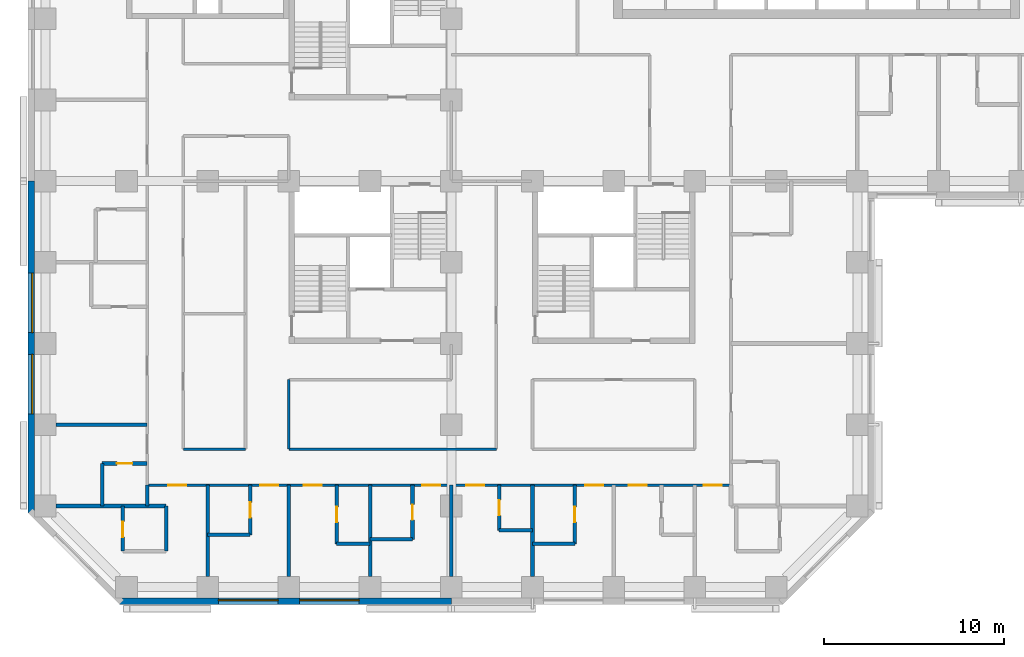
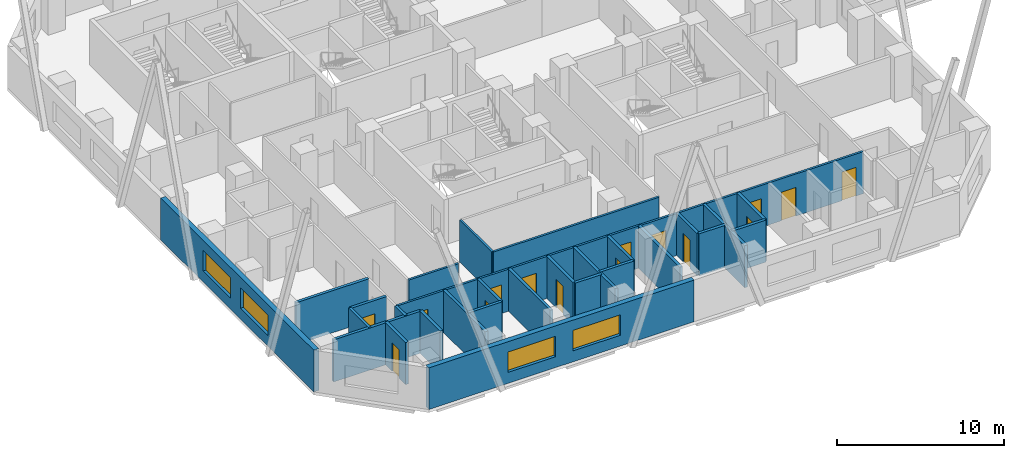
# One storey, part 3 of 13: 28 walls, 15 doors, 4 windows, 19 openings.
"""IFC4 building model written with IfcOpenShell, lengths in metres."""

import ifcopenshell
import ifcopenshell.guid

model = None  # the IFC model being written
_history = None  # IfcOwnerHistory: only IFC2X3 demands one
_inside = {}  # id of a spatial element -> (the spatial element, [elements in it])
_under = {}  # id of a project, library or spatial element -> (it, [spatial elements below it])
_declared = {}  # id of a project -> (the project, [libraries it declares])
_typed = {}  # id of a type object -> (the type object, [elements of that type])
_made_of = {}  # id of a material, layer set ... -> (it, [elements and type objects made of it])


def new_model(schema):
    """Start an empty IFC model of exactly this schema.

    Asked for "IFC4X3", IfcOpenShell would pick the latest addendum, in which some entities
    have other attributes; the version numbers below select the first issue.
    IFC2X3 requires an IfcOwnerHistory on every rooted entity: one is made here for all.
    """
    global model, _history
    if schema == "IFC4X3":
        model = ifcopenshell.file(schema_version=(4, 3, 0, 0))
    else:
        model = ifcopenshell.file(schema=schema)
    _inside.clear()
    _under.clear()
    _declared.clear()
    _typed.clear()
    _made_of.clear()
    _history = None
    if model.schema == "IFC2X3":
        org = make("IfcOrganization", Name="unknown")
        user = make(
            "IfcPersonAndOrganization",
            ThePerson=make("IfcPerson", FamilyName="unknown"),
            TheOrganization=org,
        )
        app = make(
            "IfcApplication",
            ApplicationDeveloper=org,
            Version="unknown",
            ApplicationFullName="unknown",
            ApplicationIdentifier="unknown",
        )
        _history = make(
            "IfcOwnerHistory",
            OwningUser=user,
            OwningApplication=app,
            ChangeAction="ADDED",
            CreationDate=0,
        )
    return model


def make(cls, **values):
    """One entity of the class cls with the attributes given. An attribute that is None is left unset."""
    return model.create_entity(
        cls, **{name: value for name, value in values.items() if value is not None}
    )


def rooted(cls, **values):
    """An entity with a GlobalId (a new one), such as an element, a storey or a relation."""
    return make(cls, GlobalId=ifcopenshell.guid.new(), OwnerHistory=_history, **values)


def si_unit(unit_type, name, prefix=None):
    """IfcSIUnit, for example si_unit("LENGTHUNIT", "METRE", prefix="MILLI")."""
    return make("IfcSIUnit", UnitType=unit_type, Prefix=prefix, Name=name)


def assignment(units):
    """IfcUnitAssignment: the units of a project."""
    return None if units is None else make("IfcUnitAssignment", Units=units)


def point(xyz):
    """IfcCartesianPoint."""
    return None if xyz is None else make("IfcCartesianPoint", Coordinates=xyz)


def direction(xyz):
    """IfcDirection."""
    return None if xyz is None else make("IfcDirection", DirectionRatios=xyz)


def frame(location, z_axis=None, x_axis=None):
    """IfcAxis2Placement3D, a coordinate frame: its origin and axes. An axis left out is left unset."""
    return make(
        "IfcAxis2Placement3D",
        Location=point(location),
        Axis=direction(z_axis),
        RefDirection=direction(x_axis),
    )


def frame_2d(location, x_axis=None):
    """IfcAxis2Placement2D, a coordinate frame in the plane: its origin and x axis."""
    return make(
        "IfcAxis2Placement2D", Location=point(location), RefDirection=direction(x_axis)
    )


def origin():
    """The frame at (0, 0, 0) with its axes left unset."""
    return frame((0.0, 0.0, 0.0))


def place(relative_to, where):
    """IfcLocalPlacement: puts the frame where relative to a parent placement (None: the world)."""
    return make(
        "IfcLocalPlacement", PlacementRelTo=relative_to, RelativePlacement=where
    )


def context(
    kind, dimensions, precision=None, world=None, true_north=None, identifier=None
):
    """IfcGeometricRepresentationContext, for example the 3D "Model" context."""
    return make(
        "IfcGeometricRepresentationContext",
        ContextIdentifier=identifier,
        ContextType=kind,
        CoordinateSpaceDimension=dimensions,
        Precision=precision,
        WorldCoordinateSystem=world,
        TrueNorth=true_north,
    )


def subcontext(parent, identifier, kind, view, scale=None):
    """IfcGeometricRepresentationSubContext, for example "Body" below "Model"."""
    return make(
        "IfcGeometricRepresentationSubContext",
        ContextIdentifier=identifier,
        ContextType=kind,
        ParentContext=parent,
        TargetScale=scale,
        TargetView=view,
    )


def project(units=None, contexts=None):
    """IfcProject with its units and contexts."""
    return rooted(
        "IfcProject",
        Name="project",
        RepresentationContexts=contexts,
        UnitsInContext=assignment(units),
    )


def spatial(cls, under=None, at=None, **own):
    """A site, building, storey or space (cls), placed at a placement, below another one or the project."""
    s = rooted(cls, ObjectPlacement=at, **own)
    if under is not None:
        _under.setdefault(under.id(), (under, []))[1].append(s)
    return s


def profile(cls, at=None, kind="AREA", **sizes):
    """A parametric profile (cls). Its sizes go by their IFC names, for example OverallWidth=200.0."""
    return make(cls, ProfileType=kind, Position=at, **sizes)


def rectangle(**sizes):
    """IfcRectangleProfileDef."""
    return profile("IfcRectangleProfileDef", **sizes)


def extrude(swept, where, along, depth):
    """IfcExtrudedAreaSolid: the profile swept, set in the frame where, extruded along a direction by depth."""
    return make(
        "IfcExtrudedAreaSolid",
        SweptArea=swept,
        Position=where,
        ExtrudedDirection=direction(along),
        Depth=depth,
    )


def shape(context_of_items, identifier, shape_type, items):
    """IfcShapeRepresentation: the items that make up one representation, for example the "Body"."""
    return make(
        "IfcShapeRepresentation",
        ContextOfItems=context_of_items,
        RepresentationIdentifier=identifier,
        RepresentationType=shape_type,
        Items=items,
    )


def material(Name=None, Category=None):
    """IfcMaterial."""
    return make("IfcMaterial", Name=Name, Category=Category)


def layer(
    of_material, thickness, ventilated=None, Name=None, Category=None, Priority=None
):
    """IfcMaterialLayer: one layer of a wall or slab, of a material (None: an air gap)."""
    return make(
        "IfcMaterialLayer",
        Material=of_material,
        LayerThickness=thickness,
        IsVentilated=ventilated,
        Name=Name,
        Category=Category,
        Priority=Priority,
    )


def layer_set(layers, Name=None):
    """IfcMaterialLayerSet."""
    return make("IfcMaterialLayerSet", MaterialLayers=layers, LayerSetName=Name)


def constituent(of_material, Name=None, Category=None, fraction=None):
    """IfcMaterialConstituent: one of the materials an element consists of."""
    return make(
        "IfcMaterialConstituent",
        Name=Name,
        Material=of_material,
        Fraction=fraction,
        Category=Category,
    )


def constituent_set(constituents=None, Name=None):
    """IfcMaterialConstituentSet."""
    return make(
        "IfcMaterialConstituentSet", Name=Name, MaterialConstituents=constituents
    )


def made_of(thing, what):
    """Note that an element or type object is made of a material, layer set ...; save() writes the relation."""
    if what is not None:
        _made_of.setdefault(what.id(), (what, []))[1].append(thing)
    return thing


def type_object(cls, material=None, **own):
    """A type object (cls), such as IfcWallType, which elements share."""
    return made_of(rooted(cls, **own), material)


def element(
    cls,
    number,
    at=None,
    inside=None,
    cuts=None,
    type_object=None,
    material=None,
    context=None,
    identifier="Body",
    shape_type=None,
    held_by="IfcProductDefinitionShape",
    body=None,
    shapes=None,
    **own,
):
    """One element of the class cls, such as IfcWall. Its Tag is "e" and its number.

    at: its placement. inside: the storey or other place that contains it. cuts: it is an
    opening in that element (IfcRelVoidsElement). A single representation is given by context,
    identifier, shape_type and body (its items); several are given by shapes. held_by: the class
    of the entity that holds the representations. save() writes the other relations.
    """
    e = rooted(cls, Tag="e%d" % number, ObjectPlacement=at, **own)
    if body is not None:
        shapes = [shape(context, identifier, shape_type, body)]
    if shapes is not None:
        e.Representation = make(held_by, Representations=shapes)
    if inside is not None:
        _inside.setdefault(inside.id(), (inside, []))[1].append(e)
    if cuts is not None:
        rooted(
            "IfcRelVoidsElement", RelatingBuildingElement=cuts, RelatedOpeningElement=e
        )
    if type_object is not None:
        _typed.setdefault(type_object.id(), (type_object, []))[1].append(e)
    return made_of(e, material)


def fill(opening, filler):
    """IfcRelFillsElement: the door or window that sits in an opening."""
    return rooted(
        "IfcRelFillsElement",
        RelatingOpeningElement=opening,
        RelatedBuildingElement=filler,
    )


def aggregate(whole, parts):
    """IfcRelAggregates: a whole, such as a stair, and the parts it consists of."""
    return rooted("IfcRelAggregates", RelatingObject=whole, RelatedObjects=parts)


def save(model, path):
    """Write the relations noted so far, then the file.

    IfcRelAggregates (storeys below a building ...), IfcRelContainedInSpatialStructure (elements
    in a storey), IfcRelDefinesByType, IfcRelAssociatesMaterial and IfcRelDeclares: one each for
    every whole, place, type object, material and project.
    """
    for whole, parts in _under.values():
        aggregate(whole, parts)
    for where, things in _inside.values():
        rooted(
            "IfcRelContainedInSpatialStructure",
            RelatedElements=things,
            RelatingStructure=where,
        )
    for kind, things in _typed.values():
        rooted("IfcRelDefinesByType", RelatedObjects=things, RelatingType=kind)
    for what, things in _made_of.values():
        rooted("IfcRelAssociatesMaterial", RelatedObjects=things, RelatingMaterial=what)
    for by, libraries in _declared.values():
        rooted("IfcRelDeclares", RelatingContext=by, RelatedDefinitions=libraries)
    model.write(path)


model = new_model("IFC4")

# Units and contexts
model_context = context("Model", 3, precision=1e-05, world=origin(), true_north=direction((0.0, 1.0)))
body_context = subcontext(model_context, "Body", "Model", "MODEL_VIEW")
ifc_project = project(units=[si_unit("LENGTHUNIT", "METRE"), si_unit("AREAUNIT", "SQUARE_METRE"), si_unit("VOLUMEUNIT", "CUBIC_METRE"), si_unit("PLANEANGLEUNIT", "RADIAN"), si_unit("MASSUNIT", "GRAM", prefix="KILO")], contexts=[model_context])

# Site, building, storey
site_placement = place(None, origin())
site = spatial("IfcSite", under=ifc_project, at=site_placement, CompositionType="ELEMENT")
building_placement = place(site_placement, origin())
building = spatial("IfcBuilding", under=site, at=building_placement, Name="Quoin Convention Tower", CompositionType="ELEMENT")
storey_placement = place(building_placement, frame((0.0, 0.0, 26.39990234375)))
storey = spatial("IfcBuildingStorey", under=building, at=storey_placement, Name="L05", CompositionType="ELEMENT", Elevation=26.39990234375)

# Wall, openings, windows
ifc_material_1 = material(Name="Brick masonry", Category="masonry")
ifc_layer_1 = layer(ifc_material_1, 0.35009765625)
ifc_layer_set_1 = layer_set([ifc_layer_1], Name="Brick masonry")
wall_type_1 = type_object("IfcWallType", Name="Brick facade wall", PredefinedType="STANDARD", material=ifc_layer_set_1)
wall_1_placement = place(storey_placement, frame((17.6064453125, 17.22509765625, 0.0), z_axis=(0.0, 0.0, 1.0), x_axis=(1.0, 0.0, 0.0)))
wall_1 = element("IfcWall", 1, at=wall_1_placement, inside=storey, type_object=wall_type_1, Name="fw-L05-18000_18000", PredefinedType="STANDARD", context=body_context, shape_type="SweptSolid", body=[
    extrude(rectangle(XDim=18.3935546875, YDim=0.35009765625, at=frame_2d((9.19677734375, 0.0))), origin(), (0.0, 0.0, 1.0), 3.05517578125),
])
opening_1_placement = place(wall_1_placement, frame((5.493408203125, 0.0, 0.800048828125)))
opening_1 = element("IfcOpeningElement", 2, at=opening_1_placement, cuts=wall_1, Name="Opening W-01", PredefinedType="OPENING", context=body_context, shape_type="SweptSolid", body=[
    extrude(rectangle(XDim=3.300048828125, YDim=1.5, at=frame_2d((1.64990234375, 0.75))), frame((0.0, 0.18505859375, 0.0), z_axis=(0.0, -1.0, 0.0), x_axis=(1.0, 0.0, 0.0)), (0.0, 0.0, 1.0), 0.3701171875),
])
opening_2_placement = place(wall_1_placement, frame((9.993408203125, 0.0, 0.800048828125)))
opening_2 = element("IfcOpeningElement", 3, at=opening_2_placement, cuts=wall_1, Name="Opening W-01", PredefinedType="OPENING", context=body_context, shape_type="SweptSolid", body=[
    extrude(rectangle(XDim=3.300048828125, YDim=1.5, at=frame_2d((1.64990234375, 0.75))), frame((0.0, 0.18505859375, 0.0), z_axis=(0.0, -1.0, 0.0), x_axis=(1.0, 0.0, 0.0)), (0.0, 0.0, 1.0), 0.3701171875),
])
ifc_material_2 = material(Name="Aluminium", Category="aluminium")
ifc_constituent_1 = constituent(ifc_material_2, Name="Frame")
ifc_material_3 = material(Name="Insulated glass", Category="glass")
ifc_constituent_2 = constituent(ifc_material_3, Name="Glazing")
ifc_constituent_set = constituent_set(constituents=[ifc_constituent_1, ifc_constituent_2], Name="Aluminium")
window_type = type_object("IfcWindowType", Name="Hotel strip window", PartitioningType="DOUBLE_PANEL_VERTICAL", PredefinedType="WINDOW", material=ifc_constituent_set)
window_1_placement = place(opening_1_placement, origin())
window_1 = element("IfcWindow", 4, at=window_1_placement, inside=storey, type_object=window_type, Name="win-L05-24750_17225", OverallHeight=1.5, OverallWidth=3.300048828125, PartitioningType="SINGLE_PANEL", PredefinedType="WINDOW", context=body_context, shape_type="SweptSolid", body=[
    extrude(rectangle(XDim=3.300048828125, YDim=1.5, at=frame_2d((1.64990234375, 0.75))), frame((0.0, 0.0849609375, 0.0), z_axis=(0.0, -1.0, 0.0), x_axis=(1.0, 0.0, 0.0)), (0.0, 0.0, 1.0), 0.06005859375),
])
fill(opening_1, window_1)
window_2_placement = place(opening_2_placement, origin())
window_2 = element("IfcWindow", 5, at=window_2_placement, inside=storey, type_object=window_type, Name="win-L05-29250_17225", OverallHeight=1.5, OverallWidth=3.300048828125, PartitioningType="SINGLE_PANEL", PredefinedType="WINDOW", context=body_context, shape_type="SweptSolid", body=[
    extrude(rectangle(XDim=3.300048828125, YDim=1.5, at=frame_2d((1.64990234375, 0.75))), frame((0.0, 0.0849609375, 0.0), z_axis=(0.0, -1.0, 0.0), x_axis=(1.0, 0.0, 0.0)), (0.0, 0.0, 1.0), 0.06005859375),
])
fill(opening_2, window_2)

wall_2_placement = place(storey_placement, frame((12.72509765625, 40.5, 0.0), z_axis=(0.0, 0.0, 1.0), x_axis=(0.0, -1.0, 0.0)))
wall_2 = element("IfcWall", 6, at=wall_2_placement, inside=storey, type_object=wall_type_1, Name="fw-L05-13500_40500", PredefinedType="STANDARD", context=body_context, shape_type="SweptSolid", body=[
    extrude(rectangle(XDim=18.3935546875, YDim=0.35009765625, at=frame_2d((9.19677734375, 0.0))), origin(), (0.0, 0.0, 1.0), 3.05517578125),
])
opening_3_placement = place(wall_2_placement, frame((5.10009765625, 0.0, 0.800048828125)))
opening_3 = element("IfcOpeningElement", 7, at=opening_3_placement, cuts=wall_2, Name="Opening W-01", PredefinedType="OPENING", context=body_context, shape_type="SweptSolid", body=[
    extrude(rectangle(XDim=3.300048828125, YDim=1.5, at=frame_2d((1.64990234375, 0.75))), frame((0.0, 0.18505859375, 0.0), z_axis=(0.0, -1.0, 0.0), x_axis=(1.0, 0.0, 0.0)), (0.0, 0.0, 1.0), 0.3701171875),
])
opening_4_placement = place(wall_2_placement, frame((9.60009765625, 0.0, 0.800048828125)))
opening_4 = element("IfcOpeningElement", 8, at=opening_4_placement, cuts=wall_2, Name="Opening W-01", PredefinedType="OPENING", context=body_context, shape_type="SweptSolid", body=[
    extrude(rectangle(XDim=3.300048828125, YDim=1.5, at=frame_2d((1.64990234375, 0.75))), frame((0.0, 0.18505859375, 0.0), z_axis=(0.0, -1.0, 0.0), x_axis=(1.0, 0.0, 0.0)), (0.0, 0.0, 1.0), 0.3701171875),
])
window_3_placement = place(opening_3_placement, origin())
window_3 = element("IfcWindow", 9, at=window_3_placement, inside=storey, type_object=window_type, Name="win-L05-12725_33750", OverallHeight=1.5, OverallWidth=3.300048828125, PartitioningType="SINGLE_PANEL", PredefinedType="WINDOW", context=body_context, shape_type="SweptSolid", body=[
    extrude(rectangle(XDim=3.300048828125, YDim=1.5, at=frame_2d((1.64990234375, 0.75))), frame((0.0, 0.0849609375, 0.0), z_axis=(0.0, -1.0, 0.0), x_axis=(1.0, 0.0, 0.0)), (0.0, 0.0, 1.0), 0.06005859375),
])
fill(opening_3, window_3)
window_4_placement = place(opening_4_placement, origin())
window_4 = element("IfcWindow", 10, at=window_4_placement, inside=storey, type_object=window_type, Name="win-L05-12725_29250", OverallHeight=1.5, OverallWidth=3.300048828125, PartitioningType="SINGLE_PANEL", PredefinedType="WINDOW", context=body_context, shape_type="SweptSolid", body=[
    extrude(rectangle(XDim=3.300048828125, YDim=1.5, at=frame_2d((1.64990234375, 0.75))), frame((0.0, 0.0849609375, 0.0), z_axis=(0.0, -1.0, 0.0), x_axis=(1.0, 0.0, 0.0)), (0.0, 0.0, 1.0), 0.06005859375),
])
fill(opening_4, window_4)

# Walls
ifc_material_4 = material(Name="Concrete C50", Category="concrete")
ifc_layer_2 = layer(ifc_material_4, 0.199951171875)
ifc_layer_set_2 = layer_set([ifc_layer_2], Name="Concrete C50")
wall_type_2 = type_object("IfcWallType", Name="RC party wall", PredefinedType="SOLIDWALL", material=ifc_layer_set_2)
for number, where, z_axis, x_axis, name in (
    (11, (22.5, 18.60009765625, 0.0), (0.0, 0.0, 1.0), (0.0, 1.0, 0.0), "pw-L05-037"),
    (12, (27.0, 18.60009765625, 0.0), (0.0, 0.0, 1.0), (0.0, 1.0, 0.0), "pw-L05-038"),
    (13, (31.5, 18.60009765625, 0.0), (0.0, 0.0, 1.0), (0.0, 1.0, 0.0), "pw-L05-039"),
    (14, (36.0, 18.60009765625, 0.0), (0.0, 0.0, 1.0), (0.0, 1.0, 0.0), "pw-L05-040"),
    (15, (40.5, 18.60009765625, 0.0), (0.0, 0.0, 1.0), (0.0, 1.0, 0.0), "pw-L05-041"),
):
    element("IfcWall", number, at=place(storey_placement, frame(where, z_axis=z_axis, x_axis=x_axis)), inside=storey, type_object=wall_type_2, Name=name, PredefinedType="SOLIDWALL", context=body_context, shape_type="SweptSolid", body=[
        extrude(rectangle(XDim=5.0498046875, YDim=0.199951171875, at=frame_2d((2.52490234375, 0.0))), origin(), (0.0, 0.0, 1.0), 3.080078125),
    ])

# Wall, opening, door
wall_3_placement = place(storey_placement, frame((17.800048828125, 20.0, 0.0), z_axis=(0.0, 0.0, 1.0), x_axis=(0.0, 1.0, 0.0)))
wall_3 = element("IfcWall", 16, at=wall_3_placement, inside=storey, type_object=wall_type_2, Name="pw-L05-045", PredefinedType="SOLIDWALL", context=body_context, shape_type="SweptSolid", body=[
    extrude(rectangle(XDim=2.5, YDim=0.199951171875, at=frame_2d((1.25, 0.0))), origin(), (0.0, 0.0, 1.0), 3.080078125),
])
opening_5_placement = place(wall_3_placement, frame((0.77490234375, 0.0, 0.0)))
opening_5 = element("IfcOpeningElement", 17, at=opening_5_placement, cuts=wall_3, Name="Opening DHOTEL-A-39", PredefinedType="OPENING", context=body_context, shape_type="SweptSolid", body=[
    extrude(rectangle(XDim=0.85009765625, YDim=2.10009765625, at=frame_2d((0.425048828125, 1.050048828125))), frame((0.0, 0.10986328125, 0.0), z_axis=(0.0, -1.0, 0.0), x_axis=(1.0, 0.0, 0.0)), (0.0, 0.0, 1.0), 0.219970703125),
])
ifc_material_5 = material(Name="Steel door leaf", Category="steel")
door_type_1 = type_object("IfcDoorType", Name="Bathroom door", OperationType="SINGLE_SWING_LEFT", PredefinedType="DOOR", material=ifc_material_5)
door_1_placement = place(opening_5_placement, origin())
door_1 = element("IfcDoor", 18, at=door_1_placement, inside=storey, type_object=door_type_1, Name="dr-L05-054", OperationType="SINGLE_SWING_RIGHT", OverallHeight=2.10009765625, OverallWidth=0.85009765625, PredefinedType="DOOR", context=body_context, shape_type="SweptSolid", body=[
    extrude(rectangle(XDim=0.85009765625, YDim=2.10009765625, at=frame_2d((0.425048828125, 1.050048828125))), frame((0.0, 0.02490234375, 0.0), z_axis=(0.0, -1.0, 0.0), x_axis=(1.0, 0.0, 0.0)), (0.0, 0.0, 1.0), 0.050048828125),
])
fill(opening_5, door_1)

# Walls
wall_4_placement = place(storey_placement, frame((20.199951171875, 20.0, 0.0), z_axis=(0.0, 0.0, 1.0), x_axis=(0.0, 1.0, 0.0)))
element("IfcWall", 19, at=wall_4_placement, inside=storey, type_object=wall_type_2, Name="pw-L05-046", PredefinedType="SOLIDWALL", context=body_context, shape_type="SweptSolid", body=[
    extrude(rectangle(XDim=2.5, YDim=0.199951171875, at=frame_2d((1.25, 0.0))), origin(), (0.0, 0.0, 1.0), 3.080078125),
])
wall_5_placement = place(storey_placement, frame((29.64990234375, 20.39990234375, 0.0), z_axis=(0.0, 0.0, 1.0), x_axis=(1.0, 0.0, 0.0)))
element("IfcWall", 20, at=wall_5_placement, inside=storey, type_object=wall_type_2, Name="pw-L05-050", PredefinedType="SOLIDWALL", context=body_context, shape_type="SweptSolid", body=[
    extrude(rectangle(XDim=1.85009765625, YDim=0.199951171875, at=frame_2d((0.925048828125, 0.0))), origin(), (0.0, 0.0, 1.0), 3.080078125),
])

# Wall, opening, door
wall_6_placement = place(storey_placement, frame((29.64990234375, 20.39990234375, 0.0), z_axis=(0.0, 0.0, 1.0), x_axis=(0.0, 1.0, 0.0)))
wall_6 = element("IfcWall", 21, at=wall_6_placement, inside=storey, type_object=wall_type_2, Name="pw-L05-051", PredefinedType="SOLIDWALL", context=body_context, shape_type="SweptSolid", body=[
    extrude(rectangle(XDim=3.25, YDim=0.199951171875, at=frame_2d((1.625, 0.0))), origin(), (0.0, 0.0, 1.0), 3.080078125),
])
opening_6_placement = place(wall_6_placement, frame((1.199951171875, 0.0, 0.0)))
opening_6 = element("IfcOpeningElement", 22, at=opening_6_placement, cuts=wall_6, Name="Opening DHOTEL-A-41", PredefinedType="OPENING", context=body_context, shape_type="SweptSolid", body=[
    extrude(rectangle(XDim=0.85009765625, YDim=2.10009765625, at=frame_2d((0.425048828125, 1.050048828125))), frame((0.0, 0.10986328125, 0.0), z_axis=(0.0, -1.0, 0.0), x_axis=(1.0, 0.0, 0.0)), (0.0, 0.0, 1.0), 0.219970703125),
])
door_2_placement = place(opening_6_placement, origin())
door_2 = element("IfcDoor", 23, at=door_2_placement, inside=storey, type_object=door_type_1, Name="dr-L05-004", OperationType="SINGLE_SWING_RIGHT", OverallHeight=2.10009765625, OverallWidth=0.85009765625, PredefinedType="DOOR", context=body_context, shape_type="SweptSolid", body=[
    extrude(rectangle(XDim=0.85009765625, YDim=2.10009765625, at=frame_2d((0.425048828125, 1.050048828125))), frame((0.0, 0.02490234375, 0.0), z_axis=(0.0, -1.0, 0.0), x_axis=(1.0, 0.0, 0.0)), (0.0, 0.0, 1.0), 0.050048828125),
])
fill(opening_6, door_2)

# Wall
wall_7_placement = place(storey_placement, frame((40.5, 20.39990234375, 0.0), z_axis=(0.0, 0.0, 1.0), x_axis=(1.0, 0.0, 0.0)))
element("IfcWall", 24, at=wall_7_placement, inside=storey, type_object=wall_type_2, Name="pw-L05-052", PredefinedType="SOLIDWALL", context=body_context, shape_type="SweptSolid", body=[
    extrude(rectangle(XDim=2.35009765625, YDim=0.199951171875, at=frame_2d((1.175048828125, 0.0))), origin(), (0.0, 0.0, 1.0), 3.080078125),
])

# Wall, opening, door
wall_8_placement = place(storey_placement, frame((42.85009765625, 20.39990234375, 0.0), z_axis=(0.0, 0.0, 1.0), x_axis=(0.0, 1.0, 0.0)))
wall_8 = element("IfcWall", 25, at=wall_8_placement, inside=storey, type_object=wall_type_2, Name="pw-L05-053", PredefinedType="SOLIDWALL", context=body_context, shape_type="SweptSolid", body=[
    extrude(rectangle(XDim=3.25, YDim=0.199951171875, at=frame_2d((1.625, 0.0))), origin(), (0.0, 0.0, 1.0), 3.080078125),
])
opening_7_placement = place(wall_8_placement, frame((1.199951171875, 0.0, 0.0)))
opening_7 = element("IfcOpeningElement", 26, at=opening_7_placement, cuts=wall_8, Name="Opening DHOTEL-A-42", PredefinedType="OPENING", context=body_context, shape_type="SweptSolid", body=[
    extrude(rectangle(XDim=0.85009765625, YDim=2.10009765625, at=frame_2d((0.425048828125, 1.050048828125))), frame((0.0, 0.10986328125, 0.0), z_axis=(0.0, -1.0, 0.0), x_axis=(1.0, 0.0, 0.0)), (0.0, 0.0, 1.0), 0.219970703125),
])
door_3_placement = place(opening_7_placement, frame((0.85009765625, 0.0, 0.0), z_axis=(0.0, 0.0, 1.0), x_axis=(-1.0, 0.0, 0.0)))
door_3 = element("IfcDoor", 27, at=door_3_placement, inside=storey, type_object=door_type_1, Name="dr-L05-010", OperationType="SINGLE_SWING_LEFT", OverallHeight=2.10009765625, OverallWidth=0.85009765625, PredefinedType="DOOR", context=body_context, shape_type="SweptSolid", body=[
    extrude(rectangle(XDim=0.85009765625, YDim=2.10009765625, at=frame_2d((0.425048828125, 1.050048828125))), frame((0.0, 0.02490234375, 0.0), z_axis=(0.0, -1.0, 0.0), x_axis=(1.0, 0.0, 0.0)), (0.0, 0.0, 1.0), 0.050048828125),
])
fill(opening_7, door_3)

# Wall
wall_9_placement = place(storey_placement, frame((31.5, 20.64990234375, 0.0), z_axis=(0.0, 0.0, 1.0), x_axis=(1.0, 0.0, 0.0)))
element("IfcWall", 28, at=wall_9_placement, inside=storey, type_object=wall_type_2, Name="pw-L05-054", PredefinedType="SOLIDWALL", context=body_context, shape_type="SweptSolid", body=[
    extrude(rectangle(XDim=2.35009765625, YDim=0.199951171875, at=frame_2d((1.175048828125, 0.0))), origin(), (0.0, 0.0, 1.0), 3.080078125),
])

# Wall, opening, door
wall_10_placement = place(storey_placement, frame((33.85009765625, 20.64990234375, 0.0), z_axis=(0.0, 0.0, 1.0), x_axis=(0.0, 1.0, 0.0)))
wall_10 = element("IfcWall", 29, at=wall_10_placement, inside=storey, type_object=wall_type_2, Name="pw-L05-055", PredefinedType="SOLIDWALL", context=body_context, shape_type="SweptSolid", body=[
    extrude(rectangle(XDim=3.0, YDim=0.199951171875, at=frame_2d((1.5, 0.0))), origin(), (0.0, 0.0, 1.0), 3.080078125),
])
opening_8_placement = place(wall_10_placement, frame((1.074951171875, 0.0, 0.0)))
opening_8 = element("IfcOpeningElement", 30, at=opening_8_placement, cuts=wall_10, Name="Opening DHOTEL-A-43", PredefinedType="OPENING", context=body_context, shape_type="SweptSolid", body=[
    extrude(rectangle(XDim=0.85009765625, YDim=2.10009765625, at=frame_2d((0.425048828125, 1.050048828125))), frame((0.0, 0.10986328125, 0.0), z_axis=(0.0, -1.0, 0.0), x_axis=(1.0, 0.0, 0.0)), (0.0, 0.0, 1.0), 0.219970703125),
])
door_4_placement = place(opening_8_placement, frame((0.85009765625, 0.0, 0.0), z_axis=(0.0, 0.0, 1.0), x_axis=(-1.0, 0.0, 0.0)))
door_4 = element("IfcDoor", 31, at=door_4_placement, inside=storey, type_object=door_type_1, Name="dr-L05-006", OperationType="SINGLE_SWING_LEFT", OverallHeight=2.10009765625, OverallWidth=0.85009765625, PredefinedType="DOOR", context=body_context, shape_type="SweptSolid", body=[
    extrude(rectangle(XDim=0.85009765625, YDim=2.10009765625, at=frame_2d((0.425048828125, 1.050048828125))), frame((0.0, 0.02490234375, 0.0), z_axis=(0.0, -1.0, 0.0), x_axis=(1.0, 0.0, 0.0)), (0.0, 0.0, 1.0), 0.050048828125),
])
fill(opening_8, door_4)

# Wall
wall_11_placement = place(storey_placement, frame((22.5, 20.89990234375, 0.0), z_axis=(0.0, 0.0, 1.0), x_axis=(1.0, 0.0, 0.0)))
element("IfcWall", 32, at=wall_11_placement, inside=storey, type_object=wall_type_2, Name="pw-L05-056", PredefinedType="SOLIDWALL", context=body_context, shape_type="SweptSolid", body=[
    extrude(rectangle(XDim=2.35009765625, YDim=0.199951171875, at=frame_2d((1.175048828125, 0.0))), origin(), (0.0, 0.0, 1.0), 3.080078125),
])

# Wall, opening, door
wall_12_placement = place(storey_placement, frame((24.85009765625, 20.89990234375, 0.0), z_axis=(0.0, 0.0, 1.0), x_axis=(0.0, 1.0, 0.0)))
wall_12 = element("IfcWall", 33, at=wall_12_placement, inside=storey, type_object=wall_type_2, Name="pw-L05-057", PredefinedType="SOLIDWALL", context=body_context, shape_type="SweptSolid", body=[
    extrude(rectangle(XDim=2.75, YDim=0.199951171875, at=frame_2d((1.375, 0.0))), origin(), (0.0, 0.0, 1.0), 3.080078125),
])
opening_9_placement = place(wall_12_placement, frame((0.949951171875, 0.0, 0.0)))
opening_9 = element("IfcOpeningElement", 34, at=opening_9_placement, cuts=wall_12, Name="Opening DHOTEL-A-44", PredefinedType="OPENING", context=body_context, shape_type="SweptSolid", body=[
    extrude(rectangle(XDim=0.85009765625, YDim=2.10009765625, at=frame_2d((0.425048828125, 1.050048828125))), frame((0.0, 0.10986328125, 0.0), z_axis=(0.0, -1.0, 0.0), x_axis=(1.0, 0.0, 0.0)), (0.0, 0.0, 1.0), 0.219970703125),
])
door_5_placement = place(opening_9_placement, frame((0.85009765625, 0.0, 0.0), z_axis=(0.0, 0.0, 1.0), x_axis=(-1.0, 0.0, 0.0)))
door_5 = element("IfcDoor", 35, at=door_5_placement, inside=storey, type_object=door_type_1, Name="dr-L05-002", OperationType="SINGLE_SWING_LEFT", OverallHeight=2.10009765625, OverallWidth=0.85009765625, PredefinedType="DOOR", context=body_context, shape_type="SweptSolid", body=[
    extrude(rectangle(XDim=0.85009765625, YDim=2.10009765625, at=frame_2d((0.425048828125, 1.050048828125))), frame((0.0, 0.02490234375, 0.0), z_axis=(0.0, -1.0, 0.0), x_axis=(1.0, 0.0, 0.0)), (0.0, 0.0, 1.0), 0.050048828125),
])
fill(opening_9, door_5)

# Wall
wall_13_placement = place(storey_placement, frame((38.64990234375, 21.14990234375, 0.0), z_axis=(0.0, 0.0, 1.0), x_axis=(1.0, 0.0, 0.0)))
element("IfcWall", 36, at=wall_13_placement, inside=storey, type_object=wall_type_2, Name="pw-L05-060", PredefinedType="SOLIDWALL", context=body_context, shape_type="SweptSolid", body=[
    extrude(rectangle(XDim=1.85009765625, YDim=0.199951171875, at=frame_2d((0.925048828125, 0.0))), origin(), (0.0, 0.0, 1.0), 3.080078125),
])

# Wall, opening, door
wall_14_placement = place(storey_placement, frame((38.64990234375, 21.14990234375, 0.0), z_axis=(0.0, 0.0, 1.0), x_axis=(0.0, 1.0, 0.0)))
wall_14 = element("IfcWall", 37, at=wall_14_placement, inside=storey, type_object=wall_type_2, Name="pw-L05-061", PredefinedType="SOLIDWALL", context=body_context, shape_type="SweptSolid", body=[
    extrude(rectangle(XDim=2.5, YDim=0.199951171875, at=frame_2d((1.25, 0.0))), origin(), (0.0, 0.0, 1.0), 3.080078125),
])
opening_10_placement = place(wall_14_placement, frame((0.824951171875, 0.0, 0.0)))
opening_10 = element("IfcOpeningElement", 38, at=opening_10_placement, cuts=wall_14, Name="Opening DHOTEL-A-46", PredefinedType="OPENING", context=body_context, shape_type="SweptSolid", body=[
    extrude(rectangle(XDim=0.85009765625, YDim=2.10009765625, at=frame_2d((0.425048828125, 1.050048828125))), frame((0.0, 0.10986328125, 0.0), z_axis=(0.0, -1.0, 0.0), x_axis=(1.0, 0.0, 0.0)), (0.0, 0.0, 1.0), 0.219970703125),
])
door_6_placement = place(opening_10_placement, origin())
door_6 = element("IfcDoor", 39, at=door_6_placement, inside=storey, type_object=door_type_1, Name="dr-L05-008", OperationType="SINGLE_SWING_RIGHT", OverallHeight=2.10009765625, OverallWidth=0.85009765625, PredefinedType="DOOR", context=body_context, shape_type="SweptSolid", body=[
    extrude(rectangle(XDim=0.85009765625, YDim=2.10009765625, at=frame_2d((0.425048828125, 1.050048828125))), frame((0.0, 0.02490234375, 0.0), z_axis=(0.0, -1.0, 0.0), x_axis=(1.0, 0.0, 0.0)), (0.0, 0.0, 1.0), 0.050048828125),
])
fill(opening_10, door_6)

# Walls
wall_15_placement = place(storey_placement, frame((14.10009765625, 22.5, 0.0), z_axis=(0.0, 0.0, 1.0), x_axis=(1.0, 0.0, 0.0)))
element("IfcWall", 40, at=wall_15_placement, inside=storey, type_object=wall_type_2, Name="pw-L05-062", PredefinedType="SOLIDWALL", context=body_context, shape_type="SweptSolid", body=[
    extrude(rectangle(XDim=6.099853515625, YDim=0.199951171875, at=frame_2d((3.0498046875, 0.0))), origin(), (0.0, 0.0, 1.0), 3.080078125),
])
wall_16_placement = place(storey_placement, frame((16.64990234375, 22.5, 0.0), z_axis=(0.0, 0.0, 1.0), x_axis=(0.0, 1.0, 0.0)))
element("IfcWall", 41, at=wall_16_placement, inside=storey, type_object=wall_type_2, Name="pw-L05-063", PredefinedType="SOLIDWALL", context=body_context, shape_type="SweptSolid", body=[
    extrude(rectangle(XDim=2.35009765625, YDim=0.199951171875, at=frame_2d((1.175048828125, 0.0))), origin(), (0.0, 0.0, 1.0), 3.080078125),
])
wall_17_placement = place(storey_placement, frame((19.14990234375, 22.5, 0.0), z_axis=(0.0, 0.0, 1.0), x_axis=(0.0, 1.0, 0.0)))
element("IfcWall", 42, at=wall_17_placement, inside=storey, type_object=wall_type_2, Name="pw-L05-064", PredefinedType="SOLIDWALL", context=body_context, shape_type="SweptSolid", body=[
    extrude(rectangle(XDim=1.14990234375, YDim=0.199951171875, at=frame_2d((0.574951171875, 0.0))), origin(), (0.0, 0.0, 1.0), 3.080078125),
])

# Wall, opening, door
wall_18_placement = place(storey_placement, frame((16.64990234375, 24.85009765625, 0.0), z_axis=(0.0, 0.0, 1.0), x_axis=(1.0, 0.0, 0.0)))
wall_18 = element("IfcWall", 43, at=wall_18_placement, inside=storey, type_object=wall_type_2, Name="pw-L05-068", PredefinedType="SOLIDWALL", context=body_context, shape_type="SweptSolid", body=[
    extrude(rectangle(XDim=2.5, YDim=0.199951171875, at=frame_2d((1.25, 0.0))), origin(), (0.0, 0.0, 1.0), 3.080078125),
])
opening_11_placement = place(wall_18_placement, frame((0.824951171875, 0.0, 0.0)))
opening_11 = element("IfcOpeningElement", 44, at=opening_11_placement, cuts=wall_18, Name="Opening DHOTEL-A-47", PredefinedType="OPENING", context=body_context, shape_type="SweptSolid", body=[
    extrude(rectangle(XDim=0.85009765625, YDim=2.10009765625, at=frame_2d((0.425048828125, 1.050048828125))), frame((0.0, 0.10986328125, 0.0), z_axis=(0.0, -1.0, 0.0), x_axis=(1.0, 0.0, 0.0)), (0.0, 0.0, 1.0), 0.219970703125),
])
door_7_placement = place(opening_11_placement, frame((0.85009765625, 0.0, 0.0), z_axis=(0.0, 0.0, 1.0), x_axis=(-1.0, 0.0, 0.0)))
door_7 = element("IfcDoor", 45, at=door_7_placement, inside=storey, type_object=door_type_1, Name="dr-L05-014", OperationType="SINGLE_SWING_LEFT", OverallHeight=2.10009765625, OverallWidth=0.85009765625, PredefinedType="DOOR", context=body_context, shape_type="SweptSolid", body=[
    extrude(rectangle(XDim=0.85009765625, YDim=2.10009765625, at=frame_2d((0.425048828125, 1.050048828125))), frame((0.0, 0.02490234375, 0.0), z_axis=(0.0, -1.0, 0.0), x_axis=(1.0, 0.0, 0.0)), (0.0, 0.0, 1.0), 0.050048828125),
])
fill(opening_11, door_7)

# Wall
wall_19_placement = place(storey_placement, frame((14.10009765625, 27.0, 0.0), z_axis=(0.0, 0.0, 1.0), x_axis=(1.0, 0.0, 0.0)))
element("IfcWall", 46, at=wall_19_placement, inside=storey, type_object=wall_type_2, Name="pw-L05-070", PredefinedType="SOLIDWALL", context=body_context, shape_type="SweptSolid", body=[
    extrude(rectangle(XDim=5.0498046875, YDim=0.199951171875, at=frame_2d((2.52490234375, 0.0))), origin(), (0.0, 0.0, 1.0), 3.080078125),
])

# Wall, openings, doors
ifc_material_6 = material(Name="Plasterboard")
ifc_layer_3 = layer(ifc_material_6, 0.012451171875, Name="Finish")
ifc_material_7 = material(Name="Steel stud framing", Category="steel")
ifc_layer_4 = layer(ifc_material_7, 0.125, Name="Structure")
ifc_layer_5 = layer(ifc_material_6, 0.012451171875, Name="Finish")
ifc_layer_set_3 = layer_set([ifc_layer_3, ifc_layer_4, ifc_layer_5], Name="Steel stud framing")
wall_type_3 = type_object("IfcWallType", Name="corridor partition", PredefinedType="PARTITIONING", material=ifc_layer_set_3)
wall_20_placement = place(storey_placement, frame((19.14990234375, 23.64990234375, 0.0), z_axis=(0.0, 0.0, 1.0), x_axis=(1.0, 0.0, 0.0)))
wall_20 = element("IfcWall", 47, at=wall_20_placement, inside=storey, type_object=wall_type_3, Name="pw-L05-005", PredefinedType="PARTITIONING", context=body_context, shape_type="SweptSolid", body=[
    extrude(rectangle(XDim=32.35009765625, YDim=0.14990234375, at=frame_2d((16.175048828125, 0.0))), origin(), (0.0, 0.0, 1.0), 3.080078125),
])
opening_12_placement = place(wall_20_placement, frame((6.27490234375, 0.0, 0.0)))
opening_12 = element("IfcOpeningElement", 48, at=opening_12_placement, cuts=wall_20, Name="Opening DHOTEL-A-02", PredefinedType="OPENING", context=body_context, shape_type="SweptSolid", body=[
    extrude(rectangle(XDim=1.0, YDim=2.10009765625, at=frame_2d((0.5, 1.050048828125))), frame((0.0, 0.0849609375, 0.0), z_axis=(0.0, -1.0, 0.0), x_axis=(1.0, 0.0, 0.0)), (0.0, 0.0, 1.0), 0.169921875),
])
opening_13_placement = place(wall_20_placement, frame((8.675048828125, 0.0, 0.0)))
opening_13 = element("IfcOpeningElement", 49, at=opening_13_placement, cuts=wall_20, Name="Opening DHOTEL-A-03", PredefinedType="OPENING", context=body_context, shape_type="SweptSolid", body=[
    extrude(rectangle(XDim=1.0, YDim=2.10009765625, at=frame_2d((0.5, 1.050048828125))), frame((0.0, 0.0849609375, 0.0), z_axis=(0.0, -1.0, 0.0), x_axis=(1.0, 0.0, 0.0)), (0.0, 0.0, 1.0), 0.169921875),
])
opening_14_placement = place(wall_20_placement, frame((15.25, 0.0, 0.0)))
opening_14 = element("IfcOpeningElement", 50, at=opening_14_placement, cuts=wall_20, Name="Opening DHOTEL-A-04", PredefinedType="OPENING", context=body_context, shape_type="SweptSolid", body=[
    extrude(rectangle(XDim=1.0, YDim=2.10009765625, at=frame_2d((0.5, 1.050048828125))), frame((0.0, 0.0849609375, 0.0), z_axis=(0.0, -1.0, 0.0), x_axis=(1.0, 0.0, 0.0)), (0.0, 0.0, 1.0), 0.169921875),
])
opening_15_placement = place(wall_20_placement, frame((17.675048828125, 0.0, 0.0)))
opening_15 = element("IfcOpeningElement", 51, at=opening_15_placement, cuts=wall_20, Name="Opening DHOTEL-A-05", PredefinedType="OPENING", context=body_context, shape_type="SweptSolid", body=[
    extrude(rectangle(XDim=1.0, YDim=2.10009765625, at=frame_2d((0.5, 1.050048828125))), frame((0.0, 0.0849609375, 0.0), z_axis=(0.0, -1.0, 0.0), x_axis=(1.0, 0.0, 0.0)), (0.0, 0.0, 1.0), 0.169921875),
])
opening_16_placement = place(wall_20_placement, frame((24.27490234375, 0.0, 0.0)))
opening_16 = element("IfcOpeningElement", 52, at=opening_16_placement, cuts=wall_20, Name="Opening DHOTEL-A-06", PredefinedType="OPENING", context=body_context, shape_type="SweptSolid", body=[
    extrude(rectangle(XDim=1.0, YDim=2.10009765625, at=frame_2d((0.5, 1.050048828125))), frame((0.0, 0.0849609375, 0.0), z_axis=(0.0, -1.0, 0.0), x_axis=(1.0, 0.0, 0.0)), (0.0, 0.0, 1.0), 0.169921875),
])
opening_17_placement = place(wall_20_placement, frame((26.675048828125, 0.0, 0.0)))
opening_17 = element("IfcOpeningElement", 53, at=opening_17_placement, cuts=wall_20, Name="Opening DHOTEL-A-07", PredefinedType="OPENING", context=body_context, shape_type="SweptSolid", body=[
    extrude(rectangle(XDim=1.0, YDim=2.10009765625, at=frame_2d((0.5, 1.050048828125))), frame((0.0, 0.0849609375, 0.0), z_axis=(0.0, -1.0, 0.0), x_axis=(1.0, 0.0, 0.0)), (0.0, 0.0, 1.0), 0.169921875),
])
opening_18_placement = place(wall_20_placement, frame((1.175048828125, 0.0, 0.0)))
opening_18 = element("IfcOpeningElement", 54, at=opening_18_placement, cuts=wall_20, Name="Opening DHOTEL-A-01", PredefinedType="OPENING", context=body_context, shape_type="SweptSolid", body=[
    extrude(rectangle(XDim=1.0, YDim=2.10009765625, at=frame_2d((0.5, 1.050048828125))), frame((0.0, 0.0849609375, 0.0), z_axis=(0.0, -1.0, 0.0), x_axis=(1.0, 0.0, 0.0)), (0.0, 0.0, 1.0), 0.169921875),
])
opening_19_placement = place(wall_20_placement, frame((30.85009765625, 0.0, 0.0)))
opening_19 = element("IfcOpeningElement", 55, at=opening_19_placement, cuts=wall_20, Name="Opening DHOTEL-A-08", PredefinedType="OPENING", context=body_context, shape_type="SweptSolid", body=[
    extrude(rectangle(XDim=1.0, YDim=2.10009765625, at=frame_2d((0.5, 1.050048828125))), frame((0.0, 0.0849609375, 0.0), z_axis=(0.0, -1.0, 0.0), x_axis=(1.0, 0.0, 0.0)), (0.0, 0.0, 1.0), 0.169921875),
])
door_type_2 = type_object("IfcDoorType", Name="Hotel room door", OperationType="SINGLE_SWING_LEFT", PredefinedType="DOOR", material=ifc_material_5)
door_8_placement = place(opening_12_placement, frame((1.0, 0.0, 0.0), z_axis=(0.0, 0.0, 1.0), x_axis=(-1.0, 0.0, 0.0)))
door_8 = element("IfcDoor", 56, at=door_8_placement, inside=storey, type_object=door_type_2, Name="dr-L05-001", OperationType="SINGLE_SWING_LEFT", OverallHeight=2.10009765625, OverallWidth=1.0, PredefinedType="DOOR", context=body_context, shape_type="SweptSolid", body=[
    extrude(rectangle(XDim=1.0, YDim=2.10009765625, at=frame_2d((0.5, 1.050048828125))), frame((0.0, 0.02490234375, 0.0), z_axis=(0.0, -1.0, 0.0), x_axis=(1.0, 0.0, 0.0)), (0.0, 0.0, 1.0), 0.050048828125),
])
fill(opening_12, door_8)
door_9_placement = place(opening_13_placement, frame((1.0, 0.0, 0.0), z_axis=(0.0, 0.0, 1.0), x_axis=(-1.0, 0.0, 0.0)))
door_9 = element("IfcDoor", 57, at=door_9_placement, inside=storey, type_object=door_type_2, Name="dr-L05-003", OperationType="SINGLE_SWING_LEFT", OverallHeight=2.10009765625, OverallWidth=1.0, PredefinedType="DOOR", context=body_context, shape_type="SweptSolid", body=[
    extrude(rectangle(XDim=1.0, YDim=2.10009765625, at=frame_2d((0.5, 1.050048828125))), frame((0.0, 0.02490234375, 0.0), z_axis=(0.0, -1.0, 0.0), x_axis=(1.0, 0.0, 0.0)), (0.0, 0.0, 1.0), 0.050048828125),
])
fill(opening_13, door_9)
door_10_placement = place(opening_14_placement, frame((1.0, 0.0, 0.0), z_axis=(0.0, 0.0, 1.0), x_axis=(-1.0, 0.0, 0.0)))
door_10 = element("IfcDoor", 58, at=door_10_placement, inside=storey, type_object=door_type_2, Name="dr-L05-005", OperationType="SINGLE_SWING_RIGHT", OverallHeight=2.10009765625, OverallWidth=1.0, PredefinedType="DOOR", context=body_context, shape_type="SweptSolid", body=[
    extrude(rectangle(XDim=1.0, YDim=2.10009765625, at=frame_2d((0.5, 1.050048828125))), frame((0.0, 0.02490234375, 0.0), z_axis=(0.0, -1.0, 0.0), x_axis=(1.0, 0.0, 0.0)), (0.0, 0.0, 1.0), 0.050048828125),
])
fill(opening_14, door_10)
door_11_placement = place(opening_15_placement, frame((1.0, 0.0, 0.0), z_axis=(0.0, 0.0, 1.0), x_axis=(-1.0, 0.0, 0.0)))
door_11 = element("IfcDoor", 59, at=door_11_placement, inside=storey, type_object=door_type_2, Name="dr-L05-007", OperationType="SINGLE_SWING_LEFT", OverallHeight=2.10009765625, OverallWidth=1.0, PredefinedType="DOOR", context=body_context, shape_type="SweptSolid", body=[
    extrude(rectangle(XDim=1.0, YDim=2.10009765625, at=frame_2d((0.5, 1.050048828125))), frame((0.0, 0.02490234375, 0.0), z_axis=(0.0, -1.0, 0.0), x_axis=(1.0, 0.0, 0.0)), (0.0, 0.0, 1.0), 0.050048828125),
])
fill(opening_15, door_11)
door_12_placement = place(opening_16_placement, frame((1.0, 0.0, 0.0), z_axis=(0.0, 0.0, 1.0), x_axis=(-1.0, 0.0, 0.0)))
door_12 = element("IfcDoor", 60, at=door_12_placement, inside=storey, type_object=door_type_2, Name="dr-L05-009", OperationType="SINGLE_SWING_LEFT", OverallHeight=2.10009765625, OverallWidth=1.0, PredefinedType="DOOR", context=body_context, shape_type="SweptSolid", body=[
    extrude(rectangle(XDim=1.0, YDim=2.10009765625, at=frame_2d((0.5, 1.050048828125))), frame((0.0, 0.02490234375, 0.0), z_axis=(0.0, -1.0, 0.0), x_axis=(1.0, 0.0, 0.0)), (0.0, 0.0, 1.0), 0.050048828125),
])
fill(opening_16, door_12)
door_13_placement = place(opening_17_placement, frame((1.0, 0.0, 0.0), z_axis=(0.0, 0.0, 1.0), x_axis=(-1.0, 0.0, 0.0)))
door_13 = element("IfcDoor", 61, at=door_13_placement, inside=storey, type_object=door_type_2, Name="dr-L05-011", OperationType="SINGLE_SWING_LEFT", OverallHeight=2.10009765625, OverallWidth=1.0, PredefinedType="DOOR", context=body_context, shape_type="SweptSolid", body=[
    extrude(rectangle(XDim=1.0, YDim=2.10009765625, at=frame_2d((0.5, 1.050048828125))), frame((0.0, 0.02490234375, 0.0), z_axis=(0.0, -1.0, 0.0), x_axis=(1.0, 0.0, 0.0)), (0.0, 0.0, 1.0), 0.050048828125),
])
fill(opening_17, door_13)
door_14_placement = place(opening_18_placement, frame((1.0, 0.0, 0.0), z_axis=(0.0, 0.0, 1.0), x_axis=(-1.0, 0.0, 0.0)))
door_14 = element("IfcDoor", 62, at=door_14_placement, inside=storey, type_object=door_type_2, Name="dr-L05-053", OperationType="SINGLE_SWING_LEFT", OverallHeight=2.10009765625, OverallWidth=1.0, PredefinedType="DOOR", context=body_context, shape_type="SweptSolid", body=[
    extrude(rectangle(XDim=1.0, YDim=2.10009765625, at=frame_2d((0.5, 1.050048828125))), frame((0.0, 0.02490234375, 0.0), z_axis=(0.0, -1.0, 0.0), x_axis=(1.0, 0.0, 0.0)), (0.0, 0.0, 1.0), 0.050048828125),
])
fill(opening_18, door_14)
door_15_placement = place(opening_19_placement, frame((1.0, 0.0, 0.0), z_axis=(0.0, 0.0, 1.0), x_axis=(-1.0, 0.0, 0.0)))
door_15 = element("IfcDoor", 63, at=door_15_placement, inside=storey, type_object=door_type_2, Name="dr-L05-055", OperationType="SINGLE_SWING_LEFT", OverallHeight=2.10009765625, OverallWidth=1.0, PredefinedType="DOOR", context=body_context, shape_type="SweptSolid", body=[
    extrude(rectangle(XDim=1.0, YDim=2.10009765625, at=frame_2d((0.5, 1.050048828125))), frame((0.0, 0.02490234375, 0.0), z_axis=(0.0, -1.0, 0.0), x_axis=(1.0, 0.0, 0.0)), (0.0, 0.0, 1.0), 0.050048828125),
])
fill(opening_19, door_15)

# Walls
wall_21_placement = place(storey_placement, frame((21.14990234375, 25.64990234375, 0.0), z_axis=(0.0, 0.0, 1.0), x_axis=(1.0, 0.0, 0.0)))
element("IfcWall", 64, at=wall_21_placement, inside=storey, type_object=wall_type_3, Name="pw-L05-008", PredefinedType="PARTITIONING", context=body_context, shape_type="SweptSolid", body=[
    extrude(rectangle(XDim=3.4501953125, YDim=0.14990234375, at=frame_2d((1.72509765625, 0.0))), origin(), (0.0, 0.0, 1.0), 3.080078125),
])
wall_22_placement = place(storey_placement, frame((27.0, 25.64990234375, 0.0), z_axis=(0.0, 0.0, 1.0), x_axis=(1.0, 0.0, 0.0)))
element("IfcWall", 65, at=wall_22_placement, inside=storey, type_object=wall_type_3, Name="pw-L05-011", PredefinedType="PARTITIONING", context=body_context, shape_type="SweptSolid", body=[
    extrude(rectangle(XDim=11.5, YDim=0.14990234375, at=frame_2d((5.75, 0.0))), origin(), (0.0, 0.0, 1.0), 3.080078125),
])
wall_23_placement = place(storey_placement, frame((27.0, 25.64990234375, 0.0), z_axis=(0.0, 0.0, 1.0), x_axis=(0.0, 1.0, 0.0)))
element("IfcWall", 66, at=wall_23_placement, inside=storey, type_object=wall_type_3, Name="pw-L05-012", PredefinedType="PARTITIONING", context=body_context, shape_type="SweptSolid", body=[
    extrude(rectangle(XDim=3.85009765625, YDim=0.14990234375, at=frame_2d((1.925048828125, 0.0))), origin(), (0.0, 0.0, 1.0), 3.080078125),
])

save(model, "model.ifc")
